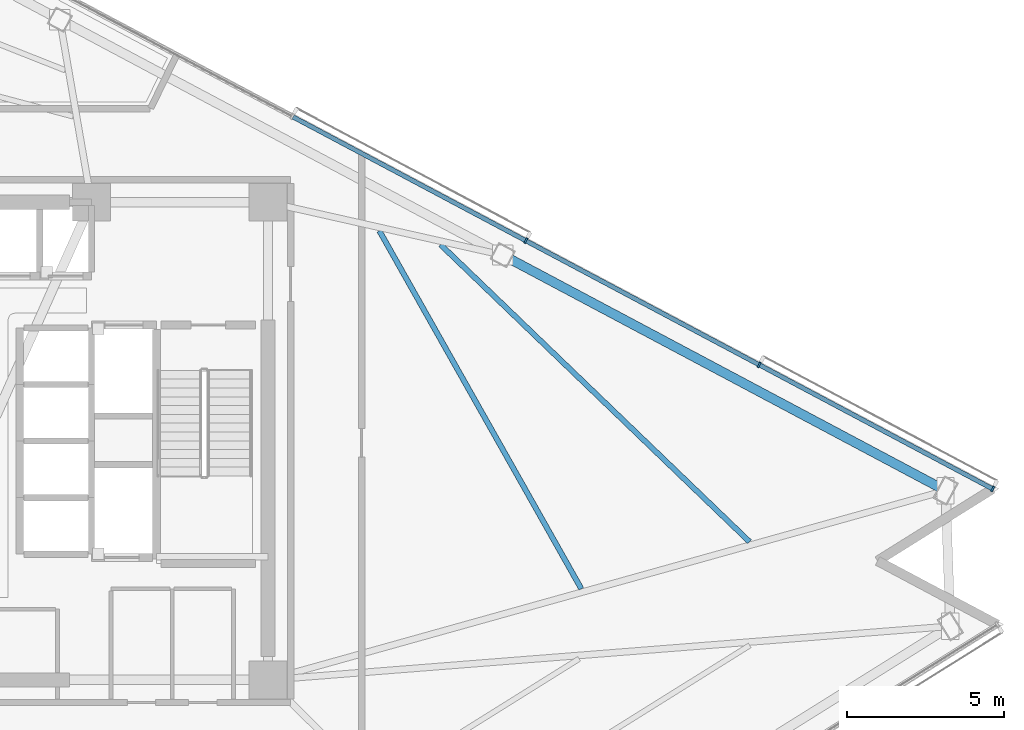
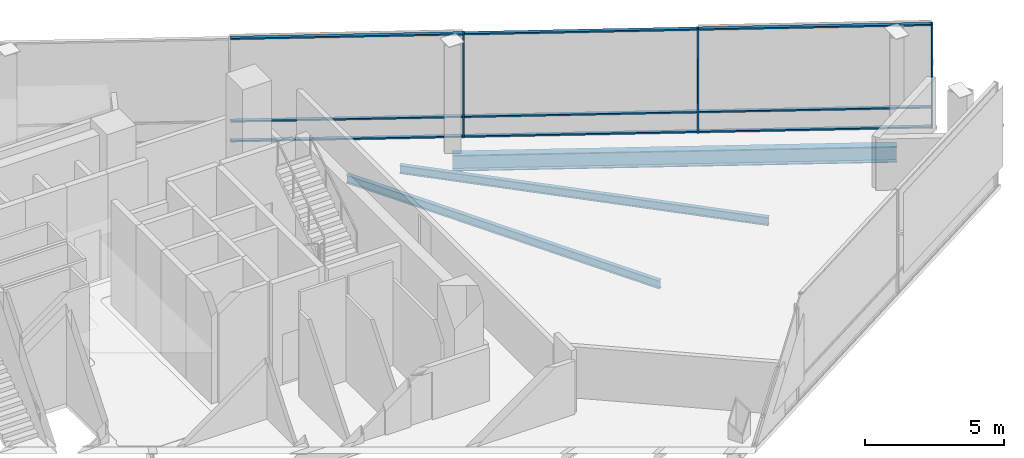
# One storey, part 10 of 19: 12 members, 3 beams, 1 element without a shape of its own.
"""IFC4 building model written with IfcOpenShell, lengths in metres."""

from ifc_helpers import new_model, si_unit, direction, frame, origin, origin_2d, place, context, subcontext, project, spatial, rectangle, i_section, extrude, material, layer, layer_set, material_profile, profile_set, type_object, element, aggregate, save


model = new_model("IFC4")

# Units and contexts
model_context = context("Model", 3, precision=1e-05, world=origin(), true_north=direction((0.0, 1.0)))
body_context = subcontext(model_context, "Body", "Model", "MODEL_VIEW")
ifc_project = project(units=[si_unit("LENGTHUNIT", "METRE"), si_unit("AREAUNIT", "SQUARE_METRE"), si_unit("VOLUMEUNIT", "CUBIC_METRE"), si_unit("PLANEANGLEUNIT", "RADIAN"), si_unit("MASSUNIT", "GRAM", prefix="KILO")], contexts=[model_context])

# Site, building, storey
site_placement = place(None, origin())
site = spatial("IfcSite", under=ifc_project, at=site_placement, CompositionType="ELEMENT")
building_placement = place(site_placement, origin())
building = spatial("IfcBuilding", under=site, at=building_placement, Name="Tharavind Bronze Gate", CompositionType="ELEMENT")
storey_placement = place(building_placement, frame((0.0, 0.0, 160.39990234375)))
storey = spatial("IfcBuildingStorey", under=building, at=storey_placement, Name="L41", CompositionType="ELEMENT", Elevation=160.39990234375)

# Curtain wall, members
ifc_material_1 = material(Name="Anodised Bronze Aluminium", Category="aluminium")
ifc_layer = layer(ifc_material_1, 0.219970703125)
ifc_layer_set = layer_set([ifc_layer], Name="Anodised Bronze Aluminium")
curtain_wall_type = type_object("IfcCurtainWallType", Name="UNITISED CURTAIN WALL MID OFFICE", PredefinedType="USERDEFINED", material=ifc_layer_set)
curtain_wall_placement = place(storey_placement, origin())
curtain_wall = element("IfcCurtainWall", 1, at=curtain_wall_placement, inside=storey, type_object=curtain_wall_type, Name="L41 unitised curtain wall mid office CW-L41-S3", ObjectType="UNITISED CURTAIN WALL", PredefinedType="USERDEFINED")
member_type_1 = type_object("IfcMemberType", Name="CURTAIN WALL BRONZE MULLION 65X180", PredefinedType="MULLION", material=ifc_material_1)
member_1_placement = place(storey_placement, frame((31.9638671875, -1.5224609375, 0.0), z_axis=(0.0, 0.0, 1.0), x_axis=(-0.882947592859, 0.469471562786, 0.0)))
member_1 = element("IfcMember", 2, at=member_1_placement, type_object=member_type_1, Name="CW-L41-S3 mullion 1", PredefinedType="MULLION", context=body_context, shape_type="SweptSolid", body=[
    extrude(rectangle(XDim=0.06494140625, YDim=0.179931640625, at=origin_2d()), origin(), (0.0, 0.0, 1.0), 4.554931640625),
])
member_2_placement = place(storey_placement, frame((24.5341796875, 2.427978515625, 0.0), z_axis=(0.0, 0.0, 1.0), x_axis=(-0.882947592859, 0.469471562786, 0.0)))
member_2 = element("IfcMember", 3, at=member_2_placement, type_object=member_type_1, Name="CW-L41-S3 mullion 2", PredefinedType="MULLION", context=body_context, shape_type="SweptSolid", body=[
    extrude(rectangle(XDim=0.06494140625, YDim=0.179931640625, at=origin_2d()), origin(), (0.0, 0.0, 1.0), 4.554931640625),
])
member_3_placement = place(storey_placement, frame((17.1044921875, 6.37841796875, 0.0), z_axis=(0.0, 0.0, 1.0), x_axis=(-0.882947592859, 0.469471562786, 0.0)))
member_3 = element("IfcMember", 4, at=member_3_placement, type_object=member_type_1, Name="CW-L41-S3 mullion 3", PredefinedType="MULLION", context=body_context, shape_type="SweptSolid", body=[
    extrude(rectangle(XDim=0.06494140625, YDim=0.179931640625, at=origin_2d()), origin(), (0.0, 0.0, 1.0), 4.554931640625),
])
member_type_2 = type_object("IfcMemberType", Name="CURTAIN WALL BRONZE TRANSOM 65X140", PredefinedType="USERDEFINED", material=ifc_material_1)
member_4_placement = place(storey_placement, frame((28.2490234375, 0.45263671875, 0.000244140625), z_axis=(0.0, 0.0, 1.0), x_axis=(-0.882947592859, 0.469471562786, 0.0)))
member_4 = element("IfcMember", 5, at=member_4_placement, type_object=member_type_2, Name="CW-L41-S3 transom TB1", ObjectType="TRANSOM", PredefinedType="USERDEFINED", context=body_context, shape_type="SweptSolid", body=[
    extrude(rectangle(XDim=8.361572265625, YDim=0.139892578125, at=origin_2d()), origin(), (0.0, 0.0, 1.0), 0.06494140625),
])
member_5_placement = place(storey_placement, frame((28.2490234375, 0.45263671875, 0.86767578125), z_axis=(0.0, 0.0, 1.0), x_axis=(-0.882947592859, 0.469471562786, 0.0)))
member_5 = element("IfcMember", 6, at=member_5_placement, type_object=member_type_2, Name="CW-L41-S3 transom TS1", ObjectType="TRANSOM", PredefinedType="USERDEFINED", context=body_context, shape_type="SweptSolid", body=[
    extrude(rectangle(XDim=8.361572265625, YDim=0.139892578125, at=origin_2d()), origin(), (0.0, 0.0, 1.0), 0.06494140625),
])
member_6_placement = place(storey_placement, frame((28.2490234375, 0.45263671875, 4.490234375), z_axis=(0.0, 0.0, 1.0), x_axis=(-0.882947592859, 0.469471562786, 0.0)))
member_6 = element("IfcMember", 7, at=member_6_placement, type_object=member_type_2, Name="CW-L41-S3 transom TT1", ObjectType="TRANSOM", PredefinedType="USERDEFINED", context=body_context, shape_type="SweptSolid", body=[
    extrude(rectangle(XDim=8.361572265625, YDim=0.139892578125, at=origin_2d()), origin(), (0.0, 0.0, 1.0), 0.06494140625),
])
member_7_placement = place(storey_placement, frame((20.8193359375, 4.403076171875, 0.000244140625), z_axis=(0.0, 0.0, 1.0), x_axis=(-0.882947592859, 0.469471562786, 0.0)))
member_7 = element("IfcMember", 8, at=member_7_placement, type_object=member_type_2, Name="CW-L41-S3 transom TB2", ObjectType="TRANSOM", PredefinedType="USERDEFINED", context=body_context, shape_type="SweptSolid", body=[
    extrude(rectangle(XDim=8.361572265625, YDim=0.139892578125, at=origin_2d()), origin(), (0.0, 0.0, 1.0), 0.06494140625),
])
member_8_placement = place(storey_placement, frame((20.8193359375, 4.403076171875, 0.86767578125), z_axis=(0.0, 0.0, 1.0), x_axis=(-0.882947592859, 0.469471562786, 0.0)))
member_8 = element("IfcMember", 9, at=member_8_placement, type_object=member_type_2, Name="CW-L41-S3 transom TS2", ObjectType="TRANSOM", PredefinedType="USERDEFINED", context=body_context, shape_type="SweptSolid", body=[
    extrude(rectangle(XDim=8.361572265625, YDim=0.139892578125, at=origin_2d()), origin(), (0.0, 0.0, 1.0), 0.06494140625),
])
member_9_placement = place(storey_placement, frame((20.8193359375, 4.403076171875, 4.490234375), z_axis=(0.0, 0.0, 1.0), x_axis=(-0.882947592859, 0.469471562786, 0.0)))
member_9 = element("IfcMember", 10, at=member_9_placement, type_object=member_type_2, Name="CW-L41-S3 transom TT2", ObjectType="TRANSOM", PredefinedType="USERDEFINED", context=body_context, shape_type="SweptSolid", body=[
    extrude(rectangle(XDim=8.361572265625, YDim=0.139892578125, at=origin_2d()), origin(), (0.0, 0.0, 1.0), 0.06494140625),
])
member_10_placement = place(storey_placement, frame((13.389892578125, 8.353515625, 0.000244140625), z_axis=(0.0, 0.0, 1.0), x_axis=(-0.882947592859, 0.469471562786, 0.0)))
member_10 = element("IfcMember", 11, at=member_10_placement, type_object=member_type_2, Name="CW-L41-S3 transom TB3", ObjectType="TRANSOM", PredefinedType="USERDEFINED", context=body_context, shape_type="SweptSolid", body=[
    extrude(rectangle(XDim=8.361572265625, YDim=0.139892578125, at=origin_2d()), origin(), (0.0, 0.0, 1.0), 0.06494140625),
])
member_11_placement = place(storey_placement, frame((13.389892578125, 8.353515625, 0.86767578125), z_axis=(0.0, 0.0, 1.0), x_axis=(-0.882947592859, 0.469471562786, 0.0)))
member_11 = element("IfcMember", 12, at=member_11_placement, type_object=member_type_2, Name="CW-L41-S3 transom TS3", ObjectType="TRANSOM", PredefinedType="USERDEFINED", context=body_context, shape_type="SweptSolid", body=[
    extrude(rectangle(XDim=8.361572265625, YDim=0.139892578125, at=origin_2d()), origin(), (0.0, 0.0, 1.0), 0.06494140625),
])
member_12_placement = place(storey_placement, frame((13.389892578125, 8.353515625, 4.490234375), z_axis=(0.0, 0.0, 1.0), x_axis=(-0.882947592859, 0.469471562786, 0.0)))
member_12 = element("IfcMember", 13, at=member_12_placement, type_object=member_type_2, Name="CW-L41-S3 transom TT3", ObjectType="TRANSOM", PredefinedType="USERDEFINED", context=body_context, shape_type="SweptSolid", body=[
    extrude(rectangle(XDim=8.361572265625, YDim=0.139892578125, at=origin_2d()), origin(), (0.0, 0.0, 1.0), 0.06494140625),
])
aggregate(curtain_wall, [member_1, member_2, member_3, member_4, member_5, member_6, member_7, member_8, member_9, member_10, member_11, member_12])

# Beams
ifc_material_2 = material(Name="Steel S355", Category="steel")
ifc_material_profile_1 = material_profile(ifc_material_2, i_section(OverallWidth=0.300048828125, OverallDepth=0.699951171875, WebThickness=0.01708984375, FlangeThickness=0.031982421875, at=origin_2d()), Name="HE700B")
ifc_profile_set_1 = profile_set([ifc_material_profile_1], Name="Steel S355")
beam_type_1 = type_object("IfcBeamType", Name="RING GIRDER HE700B", PredefinedType="USERDEFINED", material=ifc_profile_set_1)
beam_1_placement = place(storey_placement, frame((30.46484375, -1.57470703125, -0.539794921875), z_axis=(-0.882951706672, 0.469463825747, 0.0), x_axis=(-0.469463825747, -0.882951706672, 0.0)))
element("IfcBeam", 14, at=beam_1_placement, inside=storey, type_object=beam_type_1, Name="L41 ring girder he700b BM-L41-PRG09", ObjectType="GIRDER", PredefinedType="USERDEFINED", context=body_context, shape_type="SweptSolid", body=[
    extrude(i_section(OverallWidth=0.300048828125, OverallDepth=0.699951171875, WebThickness=0.01708984375, FlangeThickness=0.031982421875, at=origin_2d()), origin(), (0.0, 0.0, 1.0), 15.963134765625),
])
ifc_material_profile_2 = material_profile(ifc_material_2, i_section(OverallWidth=0.169921875, OverallDepth=0.360107421875, WebThickness=0.008056640625, FlangeThickness=0.0126953125, at=origin_2d()), Name="IPE360")
ifc_profile_set_2 = profile_set([ifc_material_profile_2], Name="Steel S355")
beam_type_2 = type_object("IfcBeamType", Name="SECONDARY FLOOR JOIST IPE360", PredefinedType="JOIST", material=ifc_profile_set_2)
beam_2_placement = place(storey_placement, frame((18.87255859375, -4.70068359375, -0.369873046875), z_axis=(-0.491359669612, 0.870956758444, 0.0), x_axis=(-0.870956758444, -0.491359669612, 0.0)))
element("IfcBeam", 15, at=beam_2_placement, inside=storey, type_object=beam_type_2, Name="L41 secondary floor joist ipe360 BM-L41-JSTA09", PredefinedType="JOIST", context=body_context, shape_type="SweptSolid", body=[
    extrude(i_section(OverallWidth=0.169921875, OverallDepth=0.360107421875, WebThickness=0.008056640625, FlangeThickness=0.0126953125, at=origin_2d()), origin(), (0.0, 0.0, 1.0), 13.08056640625),
])
beam_3_placement = place(storey_placement, frame((24.22802734375, -3.20458984375, -0.369873046875), z_axis=(-0.720825502564, 0.693116580997, 0.0), x_axis=(-0.693116580997, -0.720825502564, 0.0)))
element("IfcBeam", 16, at=beam_3_placement, inside=storey, type_object=beam_type_2, Name="L41 secondary floor joist ipe360 BM-L41-JSTB09", PredefinedType="JOIST", context=body_context, shape_type="SweptSolid", body=[
    extrude(i_section(OverallWidth=0.169921875, OverallDepth=0.360107421875, WebThickness=0.008056640625, FlangeThickness=0.0126953125, at=origin_2d()), origin(), (0.0, 0.0, 1.0), 13.648193359375),
])

save(model, "model.ifc")
